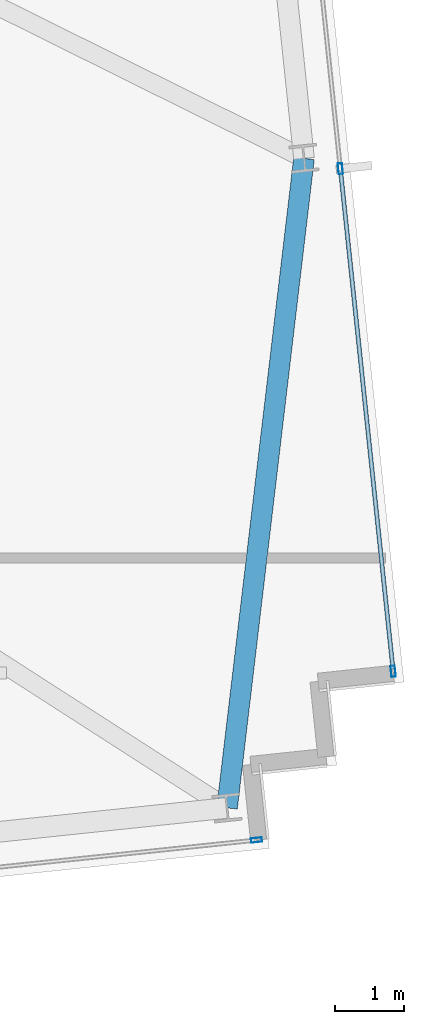
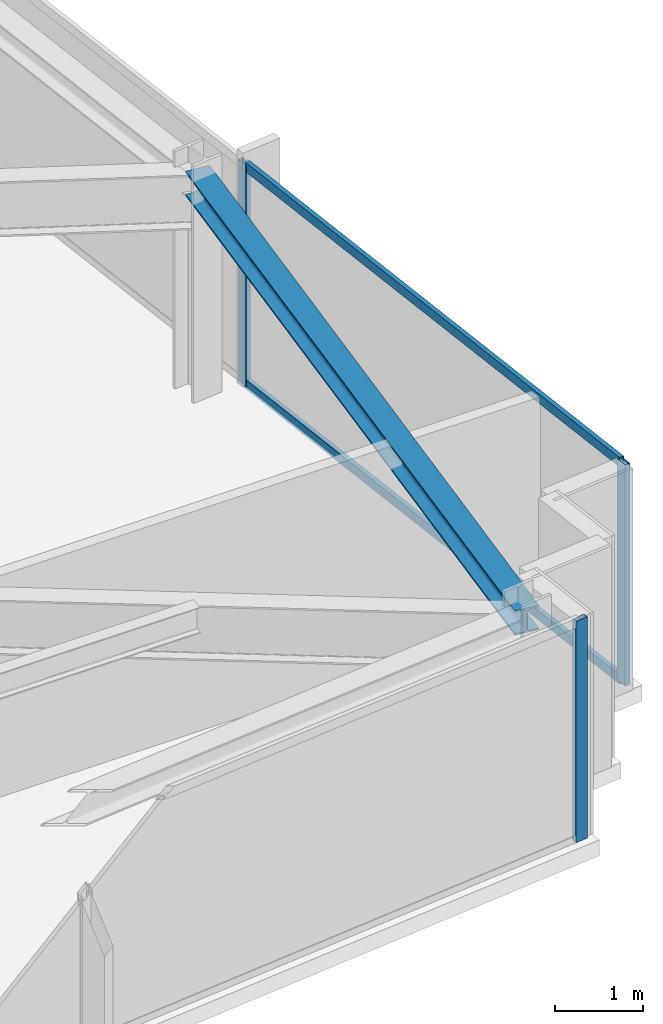
# One storey, part 17 of 33: 5 members, 1 beam, 2 elements without a shape of their own.
"""IFC4 building model written with IfcOpenShell, lengths in metres."""

from ifc_helpers import new_model, si_unit, direction, frame, origin, origin_2d, place, context, subcontext, project, spatial, hollow_rectangle, i_section, extrude, material, material_profile, profile_set, type_object, element, aggregate, save


model = new_model("IFC4")

# Units and contexts
model_context = context("Model", 3, precision=1e-05, world=origin(), true_north=direction((0.0, 1.0)))
body_context = subcontext(model_context, "Body", "Model", "MODEL_VIEW")
ifc_project = project(units=[si_unit("LENGTHUNIT", "METRE"), si_unit("AREAUNIT", "SQUARE_METRE"), si_unit("VOLUMEUNIT", "CUBIC_METRE"), si_unit("PLANEANGLEUNIT", "RADIAN"), si_unit("MASSUNIT", "GRAM", prefix="KILO")], contexts=[model_context])

# Site, building, storey
site_placement = place(None, origin())
site = spatial("IfcSite", under=ifc_project, at=site_placement, CompositionType="ELEMENT")
building_placement = place(site_placement, origin())
building = spatial("IfcBuilding", under=site, at=building_placement, Name="Yelkora Congress Tower", CompositionType="ELEMENT")
storey_placement = place(building_placement, frame((0.0, 0.0, 230.89990234375)))
storey = spatial("IfcBuildingStorey", under=building, at=storey_placement, Name="L64", CompositionType="ELEMENT", Elevation=230.89990234375)

# Beam
ifc_material_1 = material(Name="Steel S355J2", Category="steel")
ifc_material_profile_1 = material_profile(ifc_material_1, i_section(OverallWidth=0.300048828125, OverallDepth=0.340087890625, WebThickness=0.011962890625, FlangeThickness=0.021484375, FilletRadius=0.027099609375, at=origin_2d()), Name="HEB 340")
ifc_profile_set_1 = profile_set([ifc_material_profile_1], Name="Steel S355J2")
beam_type = type_object("IfcBeamType", Name="BM-SPAN-HEB340", PredefinedType="SPANDREL", material=ifc_profile_set_1)
beam_placement = place(storey_placement, frame((69.235107421875, 17.716796875, 2.91015625), z_axis=(0.11765897357, 0.993054059928, 0.0), x_axis=(-0.993054059928, 0.11765897357, 0.0)))
element("IfcBeam", 1, at=beam_placement, inside=storey, type_object=beam_type, Name="L64 Perimeter Beam 9", PredefinedType="SPANDREL", context=body_context, shape_type="SweptSolid", body=[
    extrude(i_section(OverallWidth=0.300048828125, OverallDepth=0.340087890625, WebThickness=0.011962890625, FlangeThickness=0.021484375, FilletRadius=0.027099609375, at=origin_2d()), origin(), (0.0, 0.0, 1.0), 9.509765625),
])

# Curtain wall, members
ifc_material_2 = material(Name="Anodised aluminium and insulated glass", Category="aluminium")
curtain_wall_type = type_object("IfcCurtainWallType", Name="CW-SYS-B4", PredefinedType="NOTDEFINED", material=ifc_material_2)
curtain_wall_1_placement = place(storey_placement, origin())
curtain_wall_1 = element("IfcCurtainWall", 2, at=curtain_wall_1_placement, inside=storey, type_object=curtain_wall_type, Name="L64 Unitised Curtain Wall 15", PredefinedType="NOTDEFINED")
ifc_material_3 = material(Name="Anodised aluminium 6063-T6", Category="aluminium")
ifc_material_profile_2 = material_profile(ifc_material_3, hollow_rectangle(XDim=0.06494140625, YDim=0.159912109375, WallThickness=0.00390625, at=origin_2d()), Name="ALU 65x160x4")
ifc_profile_set_2 = profile_set([ifc_material_profile_2], Name="Anodised aluminium 6063-T6")
member_type_1 = type_object("IfcMemberType", Name="MEM-ML-B4", PredefinedType="MULLION", material=ifc_profile_set_2)
member_1_placement = place(storey_placement, frame((70.882568359375, 27.009765625, 0.0), z_axis=(0.0, 0.0, 1.0), x_axis=(0.994522182968, 0.104525726898, 0.0)))
member_1 = element("IfcMember", 3, at=member_1_placement, type_object=member_type_1, Name="CW-B4 mullion 4", PredefinedType="MULLION", context=body_context, shape_type="SweptSolid", body=[
    extrude(hollow_rectangle(XDim=0.06494140625, YDim=0.159912109375, WallThickness=0.00390625, at=origin_2d()), origin(), (0.0, 0.0, 1.0), 3.080078125),
])
member_2_placement = place(storey_placement, frame((71.650634765625, 19.70263671875, 0.0), z_axis=(0.0, 0.0, 1.0), x_axis=(0.994522182968, 0.104525726898, 0.0)))
member_2 = element("IfcMember", 4, at=member_2_placement, type_object=member_type_1, Name="CW-B4 mullion 5", PredefinedType="MULLION", context=body_context, shape_type="SweptSolid", body=[
    extrude(hollow_rectangle(XDim=0.06494140625, YDim=0.159912109375, WallThickness=0.00390625, at=origin_2d()), origin(), (0.0, 0.0, 1.0), 3.080078125),
])

# Curtain wall, member
curtain_wall_2_placement = place(storey_placement, origin())
curtain_wall_2 = element("IfcCurtainWall", 5, at=curtain_wall_2_placement, inside=storey, type_object=curtain_wall_type, Name="L64 Unitised Curtain Wall 20", PredefinedType="NOTDEFINED")
member_3_placement = place(storey_placement, frame((69.663818359375, 17.2490234375, 0.0), z_axis=(0.0, 0.0, 1.0), x_axis=(0.104526664994, -0.994522084373, 0.0)))
member_3 = element("IfcMember", 6, at=member_3_placement, type_object=member_type_1, Name="CW-B4 mullion 1", PredefinedType="MULLION", context=body_context, shape_type="SweptSolid", body=[
    extrude(hollow_rectangle(XDim=0.06494140625, YDim=0.159912109375, WallThickness=0.00390625, at=origin_2d()), origin(), (0.0, 0.0, 1.0), 3.080078125),
])
aggregate(curtain_wall_2, [member_3])

# Member
ifc_material_profile_3 = material_profile(ifc_material_3, hollow_rectangle(XDim=0.06005859375, YDim=0.1298828125, WallThickness=0.00390625, at=origin_2d()), Name="ALU 60x130x4")
ifc_profile_set_3 = profile_set([ifc_material_profile_3], Name="Anodised aluminium 6063-T6")
member_type_2 = type_object("IfcMemberType", Name="MEM-TR-B4", PredefinedType="USERDEFINED", material=ifc_profile_set_3)
member_4_placement = place(storey_placement, frame((70.885986328125, 26.9775390625, 0.030029296875), z_axis=(0.104527725728, -0.994521972886, 0.0), x_axis=(0.994521972886, 0.104527725728, 0.0)))
member_4 = element("IfcMember", 7, at=member_4_placement, type_object=member_type_2, Name="CW-B4 transom 4.1", ObjectType="TRANSOM", PredefinedType="USERDEFINED", context=body_context, shape_type="SweptSolid", body=[
    extrude(hollow_rectangle(XDim=0.06005859375, YDim=0.1298828125, WallThickness=0.00390625, at=origin_2d()), origin(), (0.0, 0.0, 1.0), 7.282470703125),
])

member_5_placement = place(storey_placement, frame((70.885986328125, 26.9775390625, 3.050048828125), z_axis=(0.104527725728, -0.994521972886, 0.0), x_axis=(0.994521972886, 0.104527725728, 0.0)))
member_5 = element("IfcMember", 8, at=member_5_placement, type_object=member_type_2, Name="CW-B4 transom 4.2", ObjectType="TRANSOM", PredefinedType="USERDEFINED", context=body_context, shape_type="SweptSolid", body=[
    extrude(hollow_rectangle(XDim=0.06005859375, YDim=0.1298828125, WallThickness=0.00390625, at=origin_2d()), origin(), (0.0, 0.0, 1.0), 7.282470703125),
])

aggregate(curtain_wall_1, [member_1, member_2, member_4, member_5])

save(model, "model.ifc")
